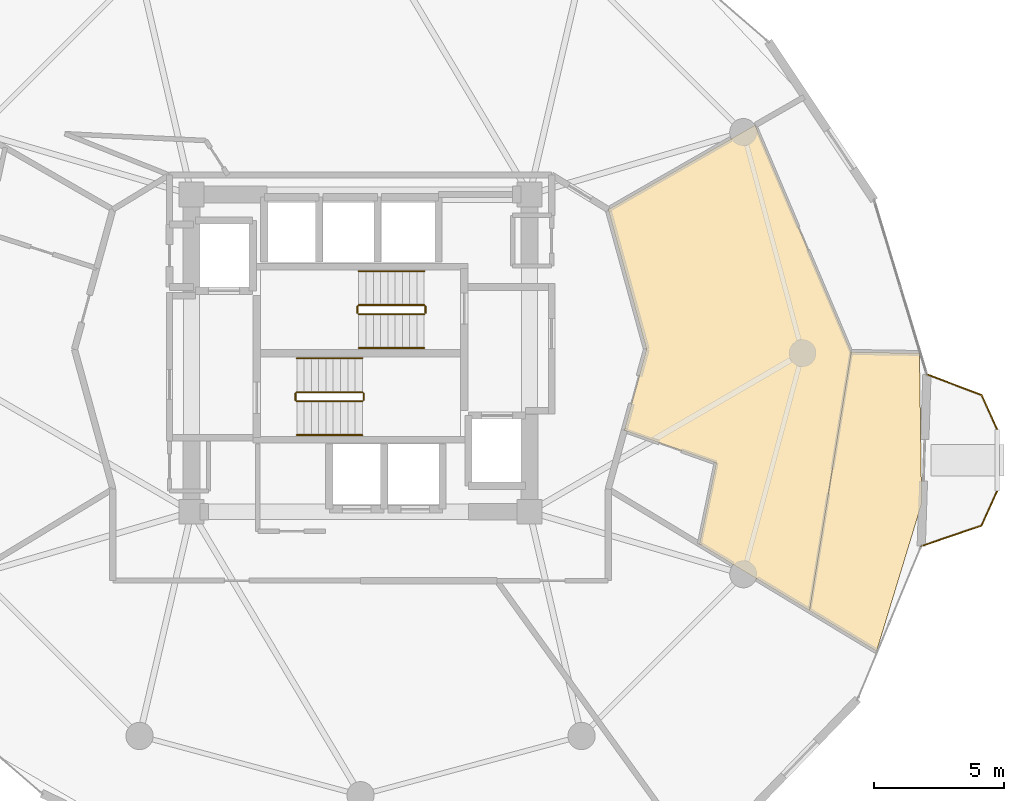
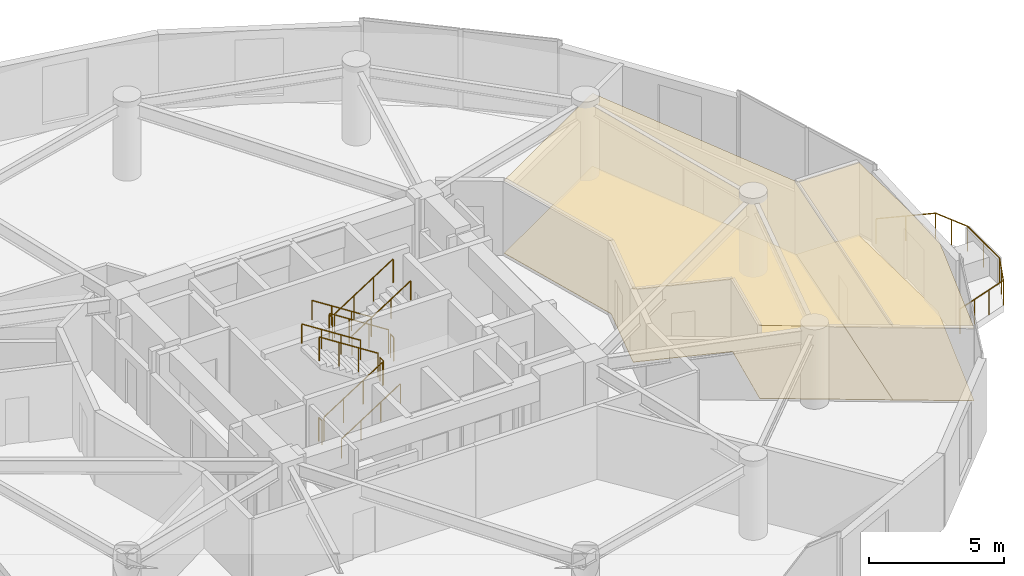
# One storey, part 25 of 26: 13 railings, 4 coverings.
"""IFC4 building model written with IfcOpenShell, lengths in metres."""

from ifc_helpers import new_model, si_unit, direction, frame, origin, origin_2d, place, context, subcontext, project, spatial, polyline, circle, outline, extrude, material, layer, layer_set, type_object, element, save


model = new_model("IFC4")

# Units and contexts
model_context = context("Model", 3, precision=1e-05, world=origin(), true_north=direction((0.0, 1.0)))
body_context = subcontext(model_context, "Body", "Model", "MODEL_VIEW")
ifc_project = project(units=[si_unit("LENGTHUNIT", "METRE"), si_unit("AREAUNIT", "SQUARE_METRE"), si_unit("VOLUMEUNIT", "CUBIC_METRE"), si_unit("PLANEANGLEUNIT", "RADIAN"), si_unit("MASSUNIT", "GRAM", prefix="KILO")], contexts=[model_context])

# Site, building, storey
site_placement = place(None, origin())
site = spatial("IfcSite", under=ifc_project, at=site_placement, CompositionType="ELEMENT")
building_placement = place(site_placement, origin())
building = spatial("IfcBuilding", under=site, at=building_placement, Name="Solvirekh Grand Hotel", CompositionType="ELEMENT")
storey_placement = place(building_placement, frame((0.0, 0.0, 113.39990234375)))
storey = spatial("IfcBuildingStorey", under=building, at=storey_placement, Name="L28", CompositionType="ELEMENT", Elevation=113.39990234375)

# Coverings
ifc_material_1 = material(Name="Acoustic Mineral Ceiling Tile")
ifc_layer_1 = layer(ifc_material_1, 0.02490234375)
ifc_layer_set_1 = layer_set([ifc_layer_1], Name="Acoustic Mineral Ceiling Tile")
covering_type_1 = type_object("IfcCoveringType", Name="Cov_Ceiling_Acoustic", PredefinedType="CEILING", material=ifc_layer_set_1)
covering_1_placement = place(storey_placement, frame((0.0, 0.0, 3.300048828125)))
element("IfcCovering", 1, at=covering_1_placement, inside=storey, type_object=covering_type_1, Name="L28 Executive Suite 3003 Living Room acoustic ceiling", PredefinedType="CEILING", context=body_context, shape_type="SweptSolid", body=[
    extrude(outline(polyline([(13.678955078125, -4.218017578125), (13.034912109375, -7.344970703125), (17.26708984375, -9.89990234375), (18.8720703125, 0.0380859375), (15.176025390625, 8.76806640625), (9.52587890625, 5.52490234375), (11.0, 0.14990234375), (10.14501953125, -2.967041015625), (13.678955078125, -4.218017578125)])), origin(), (0.0, 0.0, 1.0), 0.01806640625),
])
covering_2_placement = place(storey_placement, frame((0.0, 0.0, 3.300048828125)))
element("IfcCovering", 2, at=covering_2_placement, inside=storey, type_object=covering_type_1, Name="L28 Executive Suite 3003 Master Bedroom acoustic ceiling", PredefinedType="CEILING", context=body_context, shape_type="SweptSolid", body=[
    extrude(outline(polyline([(19.846923828125, -11.458984375), (21.5791015625, -5.781982421875), (21.49609375, 0.0), (18.8720703125, 0.0380859375), (17.26708984375, -9.89990234375), (19.846923828125, -11.458984375)])), origin(), (0.0, 0.0, 1.0), 0.01806640625),
])
ifc_material_2 = material(Name="Porcelain Stoneware Flooring", Category="masonry")
ifc_layer_2 = layer(ifc_material_2, 0.030029296875)
ifc_layer_set_2 = layer_set([ifc_layer_2], Name="Porcelain Stoneware Flooring")
covering_type_2 = type_object("IfcCoveringType", Name="Cov_Floor_Stone", PredefinedType="FLOORING", material=ifc_layer_set_2)
covering_3_placement = place(storey_placement, origin())
element("IfcCovering", 3, at=covering_3_placement, inside=storey, type_object=covering_type_2, Name="L28 Executive Suite 3003 Living Room polished granite flooring", PredefinedType="FLOORING", context=body_context, shape_type="SweptSolid", body=[
    extrude(outline(polyline([(13.678955078125, -4.218017578125), (13.034912109375, -7.344970703125), (17.26708984375, -9.89990234375), (18.8720703125, 0.0380859375), (15.176025390625, 8.76806640625), (9.52587890625, 5.52490234375), (11.0, 0.14990234375), (10.14501953125, -2.967041015625), (13.678955078125, -4.218017578125)])), origin(), (0.0, 0.0, 1.0), 0.02001953125),
])
covering_4_placement = place(storey_placement, origin())
element("IfcCovering", 4, at=covering_4_placement, inside=storey, type_object=covering_type_2, Name="L28 Executive Suite 3003 Master Bedroom polished granite flooring", PredefinedType="FLOORING", context=body_context, shape_type="SweptSolid", body=[
    extrude(outline(polyline([(19.846923828125, -11.458984375), (21.5791015625, -5.781982421875), (21.49609375, 0.0), (18.8720703125, 0.0380859375), (17.26708984375, -9.89990234375), (19.846923828125, -11.458984375)])), origin(), (0.0, 0.0, 1.0), 0.02001953125),
])

# Railings
ifc_material_3 = material(Name="Anodized Bronze Aluminium 6063-T6", Category="aluminium")
railing_type_1 = type_object("IfcRailingType", Name="Guard_ExtGlass_1150", PredefinedType="BALUSTRADE", material=ifc_material_3)
railing_1_placement = place(storey_placement, frame((21.56396484375, -7.424072265625, 0.0)))
element("IfcRailing", 5, at=railing_1_placement, inside=storey, type_object=railing_type_1, Name="L28 horn perimeter glass balustrade", PredefinedType="BALUSTRADE", context=body_context, shape_type="SweptSolid", body=[
    extrude(circle(Radius=0.02392578125, at=origin_2d()), frame((0.0, 0.0, 1.1259765625), z_axis=(0.946214551358, 0.323539831857, 0.0), x_axis=(-0.323539831857, 0.946214551358, 0.0)), (0.0, 0.0, 1.0), 2.450927734375),
    extrude(circle(Radius=0.02392578125, at=origin_2d()), frame((2.319091796875, 0.79296875, 1.1259765625), z_axis=(0.413194674074, 0.910642718807, 0.0), x_axis=(-0.910642718807, 0.413194674074, 0.0)), (0.0, 0.0, 1.0), 1.45166015625),
    extrude(circle(Radius=0.02392578125, at=origin_2d()), frame((2.9189453125, 2.114990234375, 1.1259765625), z_axis=(0.0, 1.0, 0.0), x_axis=(-1.0, 0.0, 0.0)), (0.0, 0.0, 1.0), 2.379150390625),
    extrude(circle(Radius=0.02392578125, at=origin_2d()), frame((2.9189453125, 4.494140625, 1.1259765625), z_axis=(-0.413194674074, 0.910642718807, 0.0), x_axis=(-0.910642718807, -0.413194674074, 0.0)), (0.0, 0.0, 1.0), 1.45166015625),
    extrude(circle(Radius=0.02392578125, at=origin_2d()), frame((2.319091796875, 5.816162109375, 1.1259765625), z_axis=(-0.935531206252, 0.353244054627, 0.0), x_axis=(-0.353244054627, -0.935531206252, 0.0)), (0.0, 0.0, 1.0), 2.244873046875),
    extrude(circle(Radius=0.02099609375, at=origin_2d()), origin(), (0.0, 0.0, 1.0), 1.101806640625),
    extrude(circle(Radius=0.02099609375, at=origin_2d()), frame((0.77294921875, 0.264404296875, 0.0)), (0.0, 0.0, 1.0), 1.101806640625),
    extrude(circle(Radius=0.02099609375, at=origin_2d()), frame((1.546142578125, 0.528564453125, 0.0)), (0.0, 0.0, 1.0), 1.101806640625),
    extrude(circle(Radius=0.02099609375, at=origin_2d()), frame((2.319091796875, 0.79296875, 0.0)), (0.0, 0.0, 1.0), 1.101806640625),
    extrude(circle(Radius=0.02099609375, at=origin_2d()), frame((2.619140625, 1.4541015625, 0.0)), (0.0, 0.0, 1.0), 1.101806640625),
    extrude(circle(Radius=0.02099609375, at=origin_2d()), frame((2.9189453125, 2.114990234375, 0.0)), (0.0, 0.0, 1.0), 1.101806640625),
    extrude(circle(Radius=0.02099609375, at=origin_2d()), frame((2.9189453125, 3.3046875, 0.0)), (0.0, 0.0, 1.0), 1.101806640625),
    extrude(circle(Radius=0.02099609375, at=origin_2d()), frame((2.9189453125, 4.494140625, 0.0)), (0.0, 0.0, 1.0), 1.101806640625),
    extrude(circle(Radius=0.02099609375, at=origin_2d()), frame((2.619140625, 5.1552734375, 0.0)), (0.0, 0.0, 1.0), 1.101806640625),
    extrude(circle(Radius=0.02099609375, at=origin_2d()), frame((2.319091796875, 5.816162109375, 0.0)), (0.0, 0.0, 1.0), 1.101806640625),
    extrude(circle(Radius=0.02099609375, at=origin_2d()), frame((1.26904296875, 6.212646484375, 0.0)), (0.0, 0.0, 1.0), 1.101806640625),
    extrude(circle(Radius=0.02099609375, at=origin_2d()), frame((0.218994140625, 6.609130859375, 0.0)), (0.0, 0.0, 1.0), 1.101806640625),
])
ifc_material_4 = material(Name="Steel S355", Category="steel")
railing_type_2 = type_object("IfcRailingType", Name="Guard_Stair_1100", PredefinedType="GUARDRAIL", material=ifc_material_4)
railing_2_placement = place(storey_placement, frame((-2.449951171875, -1.85009765625, 0.18017578125)))
element("IfcRailing", 6, at=railing_2_placement, inside=storey, type_object=railing_type_2, Name="L28 ST-1 stair guard 1", PredefinedType="GUARDRAIL", context=body_context, shape_type="SweptSolid", body=[
    extrude(circle(Radius=0.02392578125, at=origin_2d()), frame((0.0, 0.0, 1.076171875), z_axis=(0.841199657755, 0.0, 0.540724639528), x_axis=(0.0, 1.0, 0.0)), (0.0, 0.0, 1.0), 2.995849609375),
    extrude(circle(Radius=0.02099609375, at=origin_2d()), origin(), (0.0, 0.0, 1.0), 1.052001953125),
    extrude(circle(Radius=0.02099609375, at=origin_2d()), frame((0.840087890625, 0.0, 0.5400390625)), (0.0, 0.0, 1.0), 1.052001953125),
    extrude(circle(Radius=0.02099609375, at=origin_2d()), frame((1.679931640625, 0.0, 1.079833984375)), (0.0, 0.0, 1.0), 1.052001953125),
    extrude(circle(Radius=0.02099609375, at=origin_2d()), frame((2.52001953125, 0.0, 1.619873046875)), (0.0, 0.0, 1.0), 1.052001953125),
])
railing_3_placement = place(storey_placement, frame((0.1201171875, -1.800048828125, 1.800048828125)))
element("IfcRailing", 7, at=railing_3_placement, inside=storey, type_object=railing_type_2, Name="L28 ST-1 stair guard 2", PredefinedType="GUARDRAIL", context=body_context, shape_type="SweptSolid", body=[
    extrude(circle(Radius=0.02392578125, at=origin_2d()), frame((0.0, 0.0, 1.076171875), z_axis=(0.0, 1.0, 0.0), x_axis=(-1.0, 0.0, 0.0)), (0.0, 0.0, 1.0), 0.25),
    extrude(circle(Radius=0.02099609375, at=origin_2d()), origin(), (0.0, 0.0, 1.0), 1.052001953125),
    extrude(circle(Radius=0.02099609375, at=origin_2d()), frame((0.0, 0.25, 0.0)), (0.0, 0.0, 1.0), 1.052001953125),
])
railing_4_placement = place(storey_placement, frame((0.070068359375, -1.5, 1.97998046875)))
element("IfcRailing", 8, at=railing_4_placement, inside=storey, type_object=railing_type_2, Name="L28 ST-1 stair guard 3", PredefinedType="GUARDRAIL", context=body_context, shape_type="SweptSolid", body=[
    extrude(circle(Radius=0.02392578125, at=origin_2d()), frame((0.0, 0.0, 1.076171875), z_axis=(-0.841162588446, 0.0, 0.540782303519), x_axis=(0.0, -1.0, 0.0)), (0.0, 0.0, 1.0), 2.995849609375),
    extrude(circle(Radius=0.02099609375, at=origin_2d()), origin(), (0.0, 0.0, 1.0), 1.052001953125),
    extrude(circle(Radius=0.02099609375, at=origin_2d()), frame((-0.840087890625, 0.0, 0.5400390625)), (0.0, 0.0, 1.0), 1.052001953125),
    extrude(circle(Radius=0.02099609375, at=origin_2d()), frame((-1.679931640625, 0.0, 1.080078125)), (0.0, 0.0, 1.0), 1.052001953125),
    extrude(circle(Radius=0.02099609375, at=origin_2d()), frame((-2.52001953125, 0.0, 1.6201171875)), (0.0, 0.0, 1.0), 1.052001953125),
])
railing_5_placement = place(storey_placement, frame((-2.5, -1.800048828125, 0.0)))
element("IfcRailing", 9, at=railing_5_placement, inside=storey, type_object=railing_type_2, Name="L28 ST-1 stair guard 4", PredefinedType="GUARDRAIL", context=body_context, shape_type="SweptSolid", body=[
    extrude(circle(Radius=0.02392578125, at=origin_2d()), frame((0.0, 0.0, 1.076171875), z_axis=(0.0, 1.0, 0.0), x_axis=(-1.0, 0.0, 0.0)), (0.0, 0.0, 1.0), 0.25),
    extrude(circle(Radius=0.02099609375, at=origin_2d()), origin(), (0.0, 0.0, 1.0), 1.052001953125),
    extrude(circle(Radius=0.02099609375, at=origin_2d()), frame((0.0, 0.25, 0.0)), (0.0, 0.0, 1.0), 1.052001953125),
])
railing_6_placement = place(storey_placement, frame((2.449951171875, 1.85009765625, 0.18017578125)))
element("IfcRailing", 10, at=railing_6_placement, inside=storey, type_object=railing_type_2, Name="L28 ST-2 stair guard 1", PredefinedType="GUARDRAIL", context=body_context, shape_type="SweptSolid", body=[
    extrude(circle(Radius=0.02392578125, at=origin_2d()), frame((0.0, 0.0, 1.076171875), z_axis=(-0.841199657755, 0.0, 0.540724639528), x_axis=(0.0, -1.0, 0.0)), (0.0, 0.0, 1.0), 2.995849609375),
    extrude(circle(Radius=0.02099609375, at=origin_2d()), origin(), (0.0, 0.0, 1.0), 1.052001953125),
    extrude(circle(Radius=0.02099609375, at=origin_2d()), frame((-0.840087890625, 0.0, 0.5400390625)), (0.0, 0.0, 1.0), 1.052001953125),
    extrude(circle(Radius=0.02099609375, at=origin_2d()), frame((-1.679931640625, 0.0, 1.079833984375)), (0.0, 0.0, 1.0), 1.052001953125),
    extrude(circle(Radius=0.02099609375, at=origin_2d()), frame((-2.52001953125, 0.0, 1.619873046875)), (0.0, 0.0, 1.0), 1.052001953125),
])
railing_7_placement = place(storey_placement, frame((-0.1201171875, 1.800048828125, 1.800048828125)))
element("IfcRailing", 11, at=railing_7_placement, inside=storey, type_object=railing_type_2, Name="L28 ST-2 stair guard 2", PredefinedType="GUARDRAIL", context=body_context, shape_type="SweptSolid", body=[
    extrude(circle(Radius=0.02392578125, at=origin_2d()), frame((0.0, 0.0, 1.076171875), z_axis=(0.0, -1.0, 0.0), x_axis=(1.0, 0.0, 0.0)), (0.0, 0.0, 1.0), 0.25),
    extrude(circle(Radius=0.02099609375, at=origin_2d()), origin(), (0.0, 0.0, 1.0), 1.052001953125),
    extrude(circle(Radius=0.02099609375, at=origin_2d()), frame((0.0, -0.25, 0.0)), (0.0, 0.0, 1.0), 1.052001953125),
])
railing_8_placement = place(storey_placement, frame((-0.070068359375, 1.5, 1.97998046875)))
element("IfcRailing", 12, at=railing_8_placement, inside=storey, type_object=railing_type_2, Name="L28 ST-2 stair guard 3", PredefinedType="GUARDRAIL", context=body_context, shape_type="SweptSolid", body=[
    extrude(circle(Radius=0.02392578125, at=origin_2d()), frame((0.0, 0.0, 1.076171875), z_axis=(0.841162588446, 0.0, 0.540782303519), x_axis=(0.0, 1.0, 0.0)), (0.0, 0.0, 1.0), 2.995849609375),
    extrude(circle(Radius=0.02099609375, at=origin_2d()), origin(), (0.0, 0.0, 1.0), 1.052001953125),
    extrude(circle(Radius=0.02099609375, at=origin_2d()), frame((0.840087890625, 0.0, 0.5400390625)), (0.0, 0.0, 1.0), 1.052001953125),
    extrude(circle(Radius=0.02099609375, at=origin_2d()), frame((1.679931640625, 0.0, 1.080078125)), (0.0, 0.0, 1.0), 1.052001953125),
    extrude(circle(Radius=0.02099609375, at=origin_2d()), frame((2.52001953125, 0.0, 1.6201171875)), (0.0, 0.0, 1.0), 1.052001953125),
])
railing_9_placement = place(storey_placement, frame((2.5, 1.800048828125, 0.0)))
element("IfcRailing", 13, at=railing_9_placement, inside=storey, type_object=railing_type_2, Name="L28 ST-2 stair guard 4", PredefinedType="GUARDRAIL", context=body_context, shape_type="SweptSolid", body=[
    extrude(circle(Radius=0.02392578125, at=origin_2d()), frame((0.0, 0.0, 1.076171875), z_axis=(0.0, -1.0, 0.0), x_axis=(1.0, 0.0, 0.0)), (0.0, 0.0, 1.0), 0.25),
    extrude(circle(Radius=0.02099609375, at=origin_2d()), origin(), (0.0, 0.0, 1.0), 1.052001953125),
    extrude(circle(Radius=0.02099609375, at=origin_2d()), frame((0.0, -0.25, 0.0)), (0.0, 0.0, 1.0), 1.052001953125),
])
railing_type_3 = type_object("IfcRailingType", Name="Handrail_Wall_900", PredefinedType="HANDRAIL", material=ifc_material_3)
railing_10_placement = place(storey_placement, frame((-2.449951171875, -3.14990234375, 0.18017578125)))
element("IfcRailing", 14, at=railing_10_placement, inside=storey, type_object=railing_type_3, Name="L28 ST-1 stair handrail 1", PredefinedType="HANDRAIL", context=body_context, shape_type="SweptSolid", body=[
    extrude(circle(Radius=0.02392578125, at=origin_2d()), frame((0.0, 0.0, 0.8759765625), z_axis=(0.841199657755, 0.0, 0.540724639528), x_axis=(0.0, 1.0, 0.0)), (0.0, 0.0, 1.0), 2.995849609375),
    extrude(circle(Radius=0.02099609375, at=origin_2d()), origin(), (0.0, 0.0, 1.0), 0.851806640625),
    extrude(circle(Radius=0.02099609375, at=origin_2d()), frame((0.840087890625, 0.0, 0.5400390625)), (0.0, 0.0, 1.0), 0.851806640625),
    extrude(circle(Radius=0.02099609375, at=origin_2d()), frame((1.679931640625, 0.0, 1.079833984375)), (0.0, 0.0, 1.0), 0.851806640625),
    extrude(circle(Radius=0.02099609375, at=origin_2d()), frame((2.52001953125, 0.0, 1.619873046875)), (0.0, 0.0, 1.0), 0.851806640625),
])
railing_11_placement = place(storey_placement, frame((0.070068359375, -0.199951171875, 1.97998046875)))
element("IfcRailing", 15, at=railing_11_placement, inside=storey, type_object=railing_type_3, Name="L28 ST-1 stair handrail 2", PredefinedType="HANDRAIL", context=body_context, shape_type="SweptSolid", body=[
    extrude(circle(Radius=0.02392578125, at=origin_2d()), frame((0.0, 0.0, 0.8759765625), z_axis=(-0.841162588446, 0.0, 0.540782303519), x_axis=(0.0, -1.0, 0.0)), (0.0, 0.0, 1.0), 2.995849609375),
    extrude(circle(Radius=0.02099609375, at=origin_2d()), origin(), (0.0, 0.0, 1.0), 0.851806640625),
    extrude(circle(Radius=0.02099609375, at=origin_2d()), frame((-0.840087890625, 0.0, 0.5400390625)), (0.0, 0.0, 1.0), 0.851806640625),
    extrude(circle(Radius=0.02099609375, at=origin_2d()), frame((-1.679931640625, 0.0, 1.080078125)), (0.0, 0.0, 1.0), 0.851806640625),
    extrude(circle(Radius=0.02099609375, at=origin_2d()), frame((-2.52001953125, 0.0, 1.6201171875)), (0.0, 0.0, 1.0), 0.851806640625),
])
railing_12_placement = place(storey_placement, frame((2.449951171875, 3.14990234375, 0.18017578125)))
element("IfcRailing", 16, at=railing_12_placement, inside=storey, type_object=railing_type_3, Name="L28 ST-2 stair handrail 1", PredefinedType="HANDRAIL", context=body_context, shape_type="SweptSolid", body=[
    extrude(circle(Radius=0.02392578125, at=origin_2d()), frame((0.0, 0.0, 0.8759765625), z_axis=(-0.841199657755, 0.0, 0.540724639528), x_axis=(0.0, -1.0, 0.0)), (0.0, 0.0, 1.0), 2.995849609375),
    extrude(circle(Radius=0.02099609375, at=origin_2d()), origin(), (0.0, 0.0, 1.0), 0.851806640625),
    extrude(circle(Radius=0.02099609375, at=origin_2d()), frame((-0.840087890625, 0.0, 0.5400390625)), (0.0, 0.0, 1.0), 0.851806640625),
    extrude(circle(Radius=0.02099609375, at=origin_2d()), frame((-1.679931640625, 0.0, 1.079833984375)), (0.0, 0.0, 1.0), 0.851806640625),
    extrude(circle(Radius=0.02099609375, at=origin_2d()), frame((-2.52001953125, 0.0, 1.619873046875)), (0.0, 0.0, 1.0), 0.851806640625),
])
railing_13_placement = place(storey_placement, frame((-0.070068359375, 0.199951171875, 1.97998046875)))
element("IfcRailing", 17, at=railing_13_placement, inside=storey, type_object=railing_type_3, Name="L28 ST-2 stair handrail 2", PredefinedType="HANDRAIL", context=body_context, shape_type="SweptSolid", body=[
    extrude(circle(Radius=0.02392578125, at=origin_2d()), frame((0.0, 0.0, 0.8759765625), z_axis=(0.841162588446, 0.0, 0.540782303519), x_axis=(0.0, 1.0, 0.0)), (0.0, 0.0, 1.0), 2.995849609375),
    extrude(circle(Radius=0.02099609375, at=origin_2d()), origin(), (0.0, 0.0, 1.0), 0.851806640625),
    extrude(circle(Radius=0.02099609375, at=origin_2d()), frame((0.840087890625, 0.0, 0.5400390625)), (0.0, 0.0, 1.0), 0.851806640625),
    extrude(circle(Radius=0.02099609375, at=origin_2d()), frame((1.679931640625, 0.0, 1.080078125)), (0.0, 0.0, 1.0), 0.851806640625),
    extrude(circle(Radius=0.02099609375, at=origin_2d()), frame((2.52001953125, 0.0, 1.6201171875)), (0.0, 0.0, 1.0), 0.851806640625),
])

save(model, "model.ifc")
